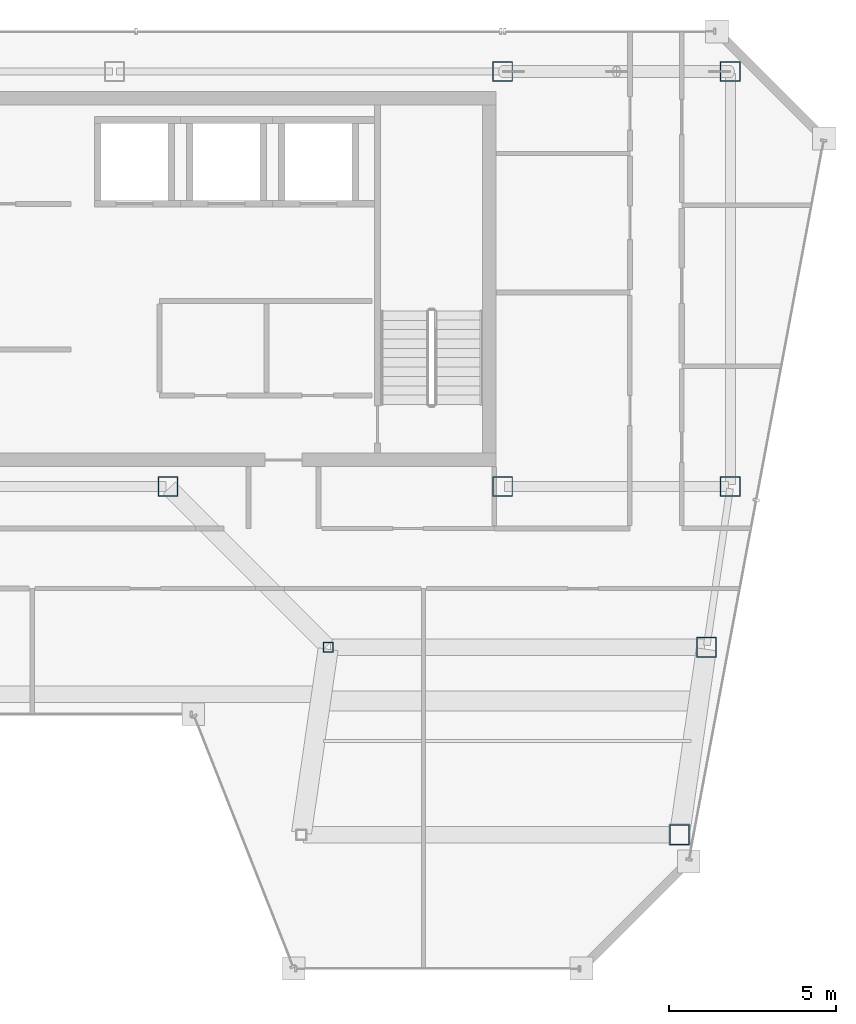
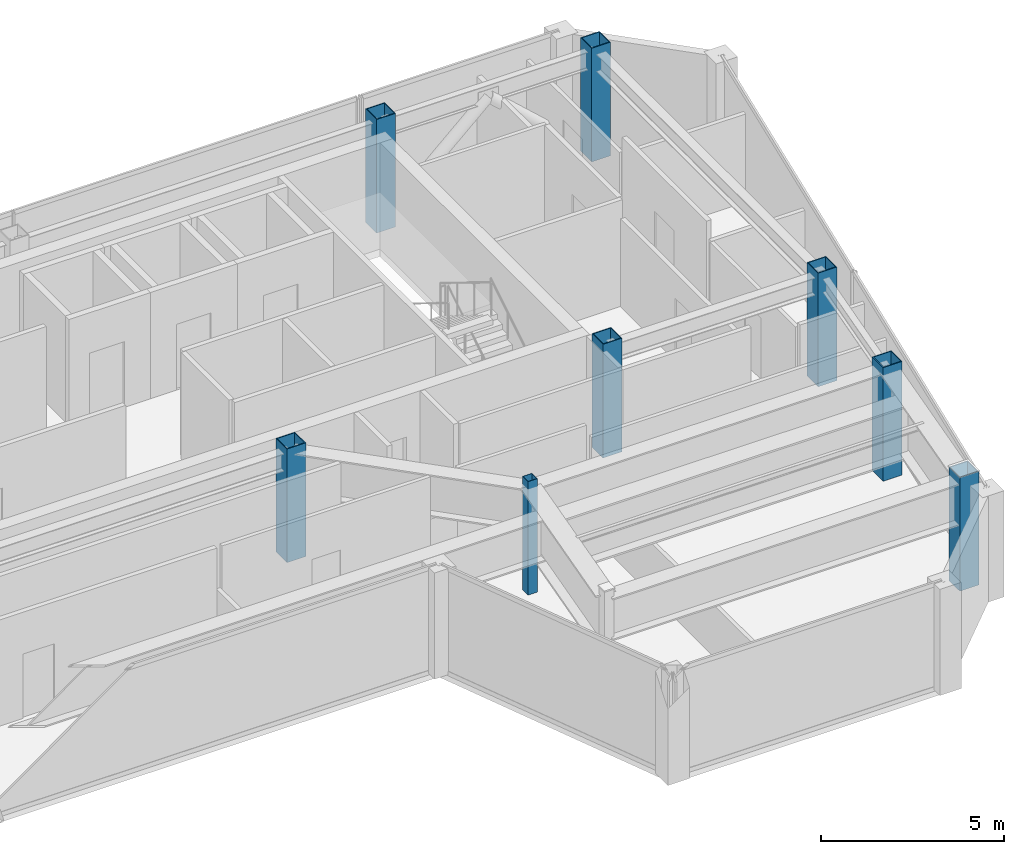
# One storey, part 2 of 23: 8 columns.
"""IFC4 building model written with IfcOpenShell, lengths in metres."""

from ifc_helpers import new_model, si_unit, direction, frame, origin, origin_2d, place, context, subcontext, project, spatial, hollow_rectangle, extrude, material, material_profile, profile_set, type_object, element, save


model = new_model("IFC4")

# Units and contexts
model_context = context("Model", 3, precision=1e-05, world=origin(), true_north=direction((0.0, 1.0)))
body_context = subcontext(model_context, "Body", "Model", "MODEL_VIEW")
ifc_project = project(units=[si_unit("LENGTHUNIT", "METRE"), si_unit("AREAUNIT", "SQUARE_METRE"), si_unit("VOLUMEUNIT", "CUBIC_METRE"), si_unit("PLANEANGLEUNIT", "RADIAN"), si_unit("MASSUNIT", "GRAM", prefix="KILO")], contexts=[model_context])

# Site, building, storey
site_placement = place(None, origin())
site = spatial("IfcSite", under=ifc_project, at=site_placement, CompositionType="ELEMENT")
building_placement = place(site_placement, origin())
building = spatial("IfcBuilding", under=site, at=building_placement, Name="Saevonmaru Cultural Tower", CompositionType="ELEMENT")
storey_placement = place(building_placement, frame((0.0, 0.0, 291.39990234375)))
storey = spatial("IfcBuildingStorey", under=building, at=storey_placement, Name="L69", CompositionType="ELEMENT", Elevation=291.39990234375)

# Columns
ifc_material = material(Name="Steel SM355", Category="steel")
ifc_material_profile_1 = material_profile(ifc_material, hollow_rectangle(XDim=0.60009765625, YDim=0.60009765625, WallThickness=0.028076171875, at=origin_2d()), Name="BOX-600x600x28")
ifc_profile_set_1 = profile_set([ifc_material_profile_1], Name="Steel SM355")
column_type_1 = type_object("IfcColumnType", Name="COL-BOX-600", PredefinedType="COLUMN", material=ifc_profile_set_1)
for number, where, z_axis, x_axis, name in (
    (1, (46.39990234375, 54.800048828125, 0.0), (0.0, 0.0, 1.0), (1.0, 0.0, 0.0), "L69 Column TC-N5N"),
    (2, (53.199951171875, 54.800048828125, 0.0), (0.0, 0.0, 1.0), (1.0, 0.0, 0.0), "L69 Column TC-N6N"),
    (3, (36.39990234375, 42.39990234375, 0.0), (0.0, 0.0, 1.0), (1.0, 0.0, 0.0), "L69 Column TC-S4C"),
    (4, (46.39990234375, 42.39990234375, 0.0), (0.0, 0.0, 1.0), (1.0, 0.0, 0.0), "L69 Column TC-S5C"),
    (5, (53.199951171875, 42.39990234375, 0.0), (0.0, 0.0, 1.0), (1.0, 0.0, 0.0), "L69 Column TC-S6C"),
    (6, (51.68310546875, 32.0, 0.0), (0.0, 0.0, 1.0), (1.0, 0.0, 0.0), "L69 Column TC-EO-Y320"),
    (7, (52.491943359375, 37.60009765625, 0.0), (0.0, 0.0, 1.0), (1.0, 0.0, 0.0), "L69 Column TC-EO-Y376"),
):
    element("IfcColumn", number, at=place(storey_placement, frame(where, z_axis=z_axis, x_axis=x_axis)), inside=storey, type_object=column_type_1, Name=name, PredefinedType="COLUMN", context=body_context, shape_type="SweptSolid", body=[
        extrude(hollow_rectangle(XDim=0.60009765625, YDim=0.60009765625, WallThickness=0.028076171875, at=origin_2d()), origin(), (0.0, 0.0, 1.0), 3.800048828125),
    ])
ifc_material_profile_2 = material_profile(ifc_material, hollow_rectangle(XDim=0.300048828125, YDim=0.300048828125, WallThickness=0.011962890625, at=origin_2d()), Name="SHS-300x300x12")
ifc_profile_set_2 = profile_set([ifc_material_profile_2], Name="Steel SM355")
column_type_2 = type_object("IfcColumnType", Name="COL-SHS-300", PredefinedType="COLUMN", material=ifc_profile_set_2)
column_placement = place(storey_placement, frame((41.19189453125, 37.60009765625, 0.0), z_axis=(0.0, 0.0, 1.0), x_axis=(1.0, 0.0, 0.0)))
element("IfcColumn", 8, at=column_placement, inside=storey, type_object=column_type_2, Name="L69 Column TC-EI-Y376", PredefinedType="COLUMN", context=body_context, shape_type="SweptSolid", body=[
    extrude(hollow_rectangle(XDim=0.300048828125, YDim=0.300048828125, WallThickness=0.011962890625, at=origin_2d()), origin(), (0.0, 0.0, 1.0), 3.800048828125),
])

save(model, "model.ifc")
